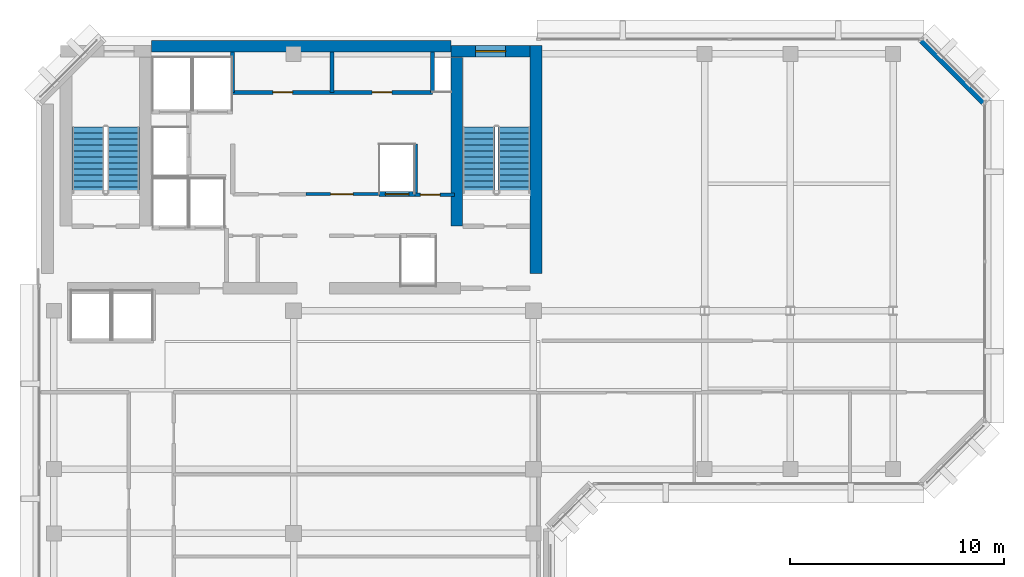
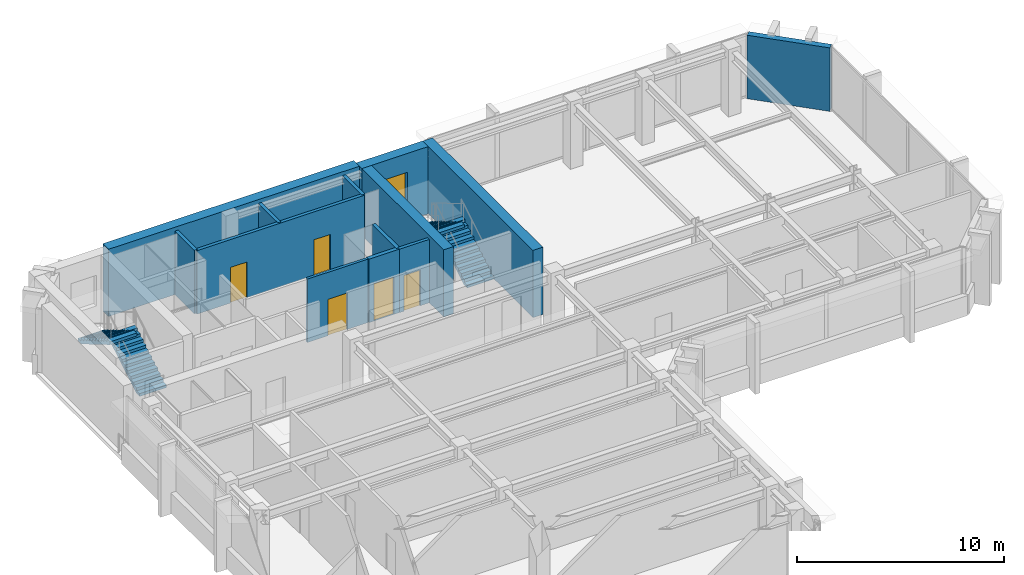
# One storey, part 8 of 11: 13 walls, 5 doors, 4 stair flights, 1 window, 6 openings, 2 elements without a shape of their own.
"""IFC4 building model written with IfcOpenShell, lengths in metres."""

from ifc_helpers import new_model, si_unit, direction, frame, frame_2d, origin, place, context, subcontext, project, spatial, polyline, rectangle, outline, extrude, material, layer, layer_set, type_object, element, fill, aggregate, save


model = new_model("IFC4")

# Units and contexts
model_context = context("Model", 3, precision=1e-05, world=origin(), true_north=direction((0.0, 1.0)))
body_context = subcontext(model_context, "Body", "Model", "MODEL_VIEW")
ifc_project = project(units=[si_unit("LENGTHUNIT", "METRE"), si_unit("AREAUNIT", "SQUARE_METRE"), si_unit("VOLUMEUNIT", "CUBIC_METRE"), si_unit("PLANEANGLEUNIT", "RADIAN"), si_unit("MASSUNIT", "GRAM", prefix="KILO")], contexts=[model_context])

# Site, building, storey
site_placement = place(None, origin())
site = spatial("IfcSite", under=ifc_project, at=site_placement, CompositionType="ELEMENT")
building_placement = place(site_placement, origin())
building = spatial("IfcBuilding", under=site, at=building_placement, Name="Kefirva Bronze Tower", CompositionType="ELEMENT")
storey_placement = place(building_placement, frame((0.0, 0.0, 331.64990234375)))
storey = spatial("IfcBuildingStorey", under=building, at=storey_placement, Name="L81", CompositionType="ELEMENT", Elevation=331.64990234375)

# Wall, opening, door
ifc_material_1 = material(Name="Gypsum acoustic partition")
ifc_layer_1 = layer(ifc_material_1, 0.14990234375, Name="Gypsum acoustic partition")
ifc_layer_set_1 = layer_set([ifc_layer_1], Name="Gypsum acoustic partition")
wall_type_1 = type_object("IfcWallType", Name="Executive Suite Partition 150mm", PredefinedType="PARTITIONING", material=ifc_layer_set_1)
wall_1_placement = place(storey_placement, frame((12.580078125, 38.64990234375, 0.0), z_axis=(0.0, 0.0, 1.0), x_axis=(1.0, 0.0, 0.0)))
wall_1 = element("IfcWall", 1, at=wall_1_placement, inside=storey, type_object=wall_type_1, Name="L81 Partition W-L81-RECMP2", PredefinedType="PARTITIONING", context=body_context, shape_type="SweptSolid", body=[
    extrude(rectangle(XDim=3.3798828125, YDim=0.14990234375, at=frame_2d((1.68994140625, 0.0))), origin(), (0.0, 0.0, 1.0), 3.739990234375),
])
opening_1_placement = place(wall_1_placement, frame((2.199951171875, 0.0, 0.0), z_axis=(0.0, 0.0, 1.0), x_axis=(-1.0, 0.0, 0.0)))
opening_1 = element("IfcOpeningElement", 2, at=opening_1_placement, cuts=wall_1, Name="Opening L81-D-RECMP2", PredefinedType="OPENING", context=body_context, shape_type="SweptSolid", body=[
    extrude(rectangle(XDim=1.050048828125, YDim=2.14990234375, at=frame_2d((0.52490234375, 1.074951171875))), frame((0.0, 0.0849609375, 0.0), z_axis=(0.0, -1.0, 0.0), x_axis=(1.0, 0.0, 0.0)), (0.0, 0.0, 1.0), 0.169921875),
])
ifc_material_2 = material(Name="Acoustic hardwood oak", Category="wood")
door_type_1 = type_object("IfcDoorType", Name="Executive & Boardroom Door 1050x2150", OperationType="NOTDEFINED", PredefinedType="DOOR", material=ifc_material_2)
door_1_placement = place(opening_1_placement, origin())
door_1 = element("IfcDoor", 3, at=door_1_placement, inside=storey, type_object=door_type_1, Name="Door L81-D-RECMP2", OperationType="SINGLE_SWING_RIGHT", OverallHeight=2.14990234375, OverallWidth=1.050048828125, PredefinedType="DOOR", context=body_context, shape_type="SweptSolid", body=[
    extrude(rectangle(XDim=1.050048828125, YDim=2.14990234375, at=frame_2d((0.52490234375, 1.074951171875))), frame((0.0, 0.02490234375, 0.0), z_axis=(0.0, -1.0, 0.0), x_axis=(1.0, 0.0, 0.0)), (0.0, 0.0, 1.0), 0.050048828125),
])
fill(opening_1, door_1)

# Wall
ifc_material_3 = material(Name="Gypsum fireboard shaftwall")
ifc_layer_2 = layer(ifc_material_3, 0.219970703125, Name="Gypsum fireboard shaftwall")
ifc_layer_set_2 = layer_set([ifc_layer_2], Name="Gypsum fireboard shaftwall")
wall_type_2 = type_object("IfcWallType", Name="Fire-Rated Shaft Enclosure Wall 220mm", PredefinedType="PARTITIONING", material=ifc_layer_set_2)
wall_2_placement = place(storey_placement, frame((17.679931640625, 38.64990234375, 0.0), z_axis=(0.0, 0.0, 1.0), x_axis=(0.0, 1.0, 0.0)))
element("IfcWall", 4, at=wall_2_placement, inside=storey, type_object=wall_type_2, Name="L81 Partition W-L81-HP2E", PredefinedType="PARTITIONING", context=body_context, shape_type="SweptSolid", body=[
    extrude(rectangle(XDim=2.35009765625, YDim=0.199951171875, at=frame_2d((1.175048828125, 0.0))), origin(), (0.0, 0.0, 1.0), 3.739990234375),
])

# Wall, opening, door
wall_3_placement = place(storey_placement, frame((15.97998046875, 38.64990234375, 0.0), z_axis=(0.0, 0.0, 1.0), x_axis=(1.0, 0.0, 0.0)))
wall_3 = element("IfcWall", 5, at=wall_3_placement, inside=storey, type_object=wall_type_2, Name="L81 Partition W-L81-HPN", PredefinedType="PARTITIONING", context=body_context, shape_type="SweptSolid", body=[
    extrude(rectangle(XDim=1.719970703125, YDim=0.219970703125, at=frame_2d((0.85986328125, 0.0))), origin(), (0.0, 0.0, 1.0), 3.739990234375),
])
opening_2_placement = place(wall_3_placement, frame((0.300048828125, 0.0, 0.0)))
opening_2 = element("IfcOpeningElement", 6, at=opening_2_placement, cuts=wall_3, Name="Opening L81-LD-HP2", PredefinedType="OPENING", context=body_context, shape_type="SweptSolid", body=[
    extrude(rectangle(XDim=1.10009765625, YDim=2.199951171875, at=frame_2d((0.550048828125, 1.10009765625))), frame((0.0, 0.1201171875, 0.0), z_axis=(0.0, -1.0, 0.0), x_axis=(1.0, 0.0, 0.0)), (0.0, 0.0, 1.0), 0.239990234375),
])
ifc_material_4 = material(Name="Stainless steel 316", Category="steel")
door_type_2 = type_object("IfcDoorType", Name="Passenger Lift Sliding Landing Door 1100x2200", OperationType="SLIDING_TO_LEFT", PredefinedType="DOOR", material=ifc_material_4)
door_2_placement = place(opening_2_placement, origin())
door_2 = element("IfcDoor", 7, at=door_2_placement, inside=storey, type_object=door_type_2, Name="Door L81-LD-HP2", OperationType="SLIDING_TO_LEFT", OverallHeight=2.199951171875, OverallWidth=1.10009765625, PredefinedType="DOOR", context=body_context, shape_type="SweptSolid", body=[
    extrude(rectangle(XDim=1.10009765625, YDim=2.199951171875, at=frame_2d((0.550048828125, 1.10009765625))), frame((0.0, 0.02490234375, 0.0), z_axis=(0.0, -1.0, 0.0), x_axis=(1.0, 0.0, 0.0)), (0.0, 0.0, 1.0), 0.050048828125),
])
fill(opening_2, door_2)

ifc_material_5 = material(Name="Gypsum fireboard barrier")
ifc_layer_3 = layer(ifc_material_5, 0.199951171875, Name="Gypsum fireboard barrier")
ifc_layer_set_3 = layer_set([ifc_layer_3], Name="Gypsum fireboard barrier")
wall_type_3 = type_object("IfcWallType", Name="Firefighting Lobby Barrier Wall 200mm", PredefinedType="PARTITIONING", material=ifc_layer_set_3)
wall_4_placement = place(storey_placement, frame((17.679931640625, 38.6201171875, 0.0), z_axis=(0.0, 0.0, 1.0), x_axis=(1.0, 0.0, 0.0)))
wall_4 = element("IfcWall", 8, at=wall_4_placement, inside=storey, type_object=wall_type_3, Name="L81 Partition W-L81-CPASS", PredefinedType="PARTITIONING", context=body_context, shape_type="SweptSolid", body=[
    extrude(rectangle(XDim=1.840087890625, YDim=0.179931640625, at=frame_2d((0.919921875, 0.0))), origin(), (0.0, 0.0, 1.0), 3.739990234375),
])
opening_3_placement = place(wall_4_placement, frame((0.239990234375, 0.0, 0.0)))
opening_3 = element("IfcOpeningElement", 9, at=opening_3_placement, cuts=wall_4, Name="Opening L81-D-CPAS", PredefinedType="OPENING", context=body_context, shape_type="SweptSolid", body=[
    extrude(rectangle(XDim=0.919921875, YDim=2.10009765625, at=frame_2d((0.4599609375, 1.050048828125))), frame((0.0, 0.10009765625, 0.0), z_axis=(0.0, -1.0, 0.0), x_axis=(1.0, 0.0, 0.0)), (0.0, 0.0, 1.0), 0.199951171875),
])
ifc_material_6 = material(Name="Moisture-resistant timber", Category="wood")
door_type_3 = type_object("IfcDoorType", Name="Accessible Sanitary & WC Door 920x2100", OperationType="NOTDEFINED", PredefinedType="DOOR", material=ifc_material_6)
door_3_placement = place(opening_3_placement, origin())
door_3 = element("IfcDoor", 10, at=door_3_placement, inside=storey, type_object=door_type_3, Name="Door L81-D-CPAS", OperationType="SINGLE_SWING_LEFT", OverallHeight=2.10009765625, OverallWidth=0.919921875, PredefinedType="DOOR", context=body_context, shape_type="SweptSolid", body=[
    extrude(rectangle(XDim=0.919921875, YDim=2.10009765625, at=frame_2d((0.4599609375, 1.050048828125))), frame((0.0, 0.02490234375, 0.0), z_axis=(0.0, -1.0, 0.0), x_axis=(1.0, 0.0, 0.0)), (0.0, 0.0, 1.0), 0.050048828125),
])
fill(opening_3, door_3)

# Walls
ifc_material_7 = material(Name="Precast concrete C40/50", Category="concrete")
ifc_layer_4 = layer(ifc_material_7, 0.320068359375, Name="Precast concrete C40/50")
ifc_layer_set_4 = layer_set([ifc_layer_4], Name="Precast concrete C40/50")
wall_type_4 = type_object("IfcWallType", Name="Precast Insulated Exterior Wall 320mm", PredefinedType="SOLIDWALL", material=ifc_layer_set_4)
wall_5_placement = place(storey_placement, frame((44.248046875, 42.92578125, 0.0), z_axis=(0.0, 0.0, 1.0), x_axis=(-0.707136318428, 0.707077242712, 0.0)))
element("IfcWall", 11, at=wall_5_placement, inside=storey, type_object=wall_type_4, Name="L81 Exterior Facade Wall 5", PredefinedType="SOLIDWALL", context=body_context, shape_type="SweptSolid", body=[
    extrude(rectangle(XDim=4.132568359375, YDim=0.320068359375, at=frame_2d((2.06640625, 0.0))), origin(), (0.0, 0.0, 1.0), 3.739990234375),
])
ifc_material_8 = material(Name="Concrete C50/60", Category="concrete")
ifc_layer_5 = layer(ifc_material_8, 0.550048828125, Name="Concrete C50/60")
ifc_layer_set_5 = layer_set([ifc_layer_5], Name="Concrete C50/60")
wall_type_5 = type_object("IfcWallType", Name="RC Rear Core Exterior Wall 550mm", PredefinedType="SHEAR", material=ifc_layer_set_5)
wall_6_placement = place(storey_placement, frame((5.360107421875, 45.550048828125, 0.0), z_axis=(0.0, 0.0, 1.0), x_axis=(1.0, 0.0, 0.0)))
element("IfcWall", 12, at=wall_6_placement, inside=storey, type_object=wall_type_5, Name="L81 Rear Core North Shear Wall", PredefinedType="SHEAR", context=body_context, shape_type="SweptSolid", body=[
    extrude(rectangle(XDim=13.97998046875, YDim=0.550048828125, at=frame_2d((6.989990234375, 0.0))), origin(), (0.0, 0.0, 1.0), 3.960205078125),
])

# Wall, opening, window
wall_7_placement = place(storey_placement, frame((19.35009765625, 45.320068359375, 0.0), z_axis=(0.0, 0.0, 1.0), x_axis=(1.0, 0.0, 0.0)))
wall_7 = element("IfcWall", 13, at=wall_7_placement, inside=storey, type_object=wall_type_5, Name="L81 Stair 2 North Shear Wall", PredefinedType="SHEAR", context=body_context, shape_type="SweptSolid", body=[
    extrude(rectangle(XDim=3.68994140625, YDim=0.550048828125, at=frame_2d((1.844970703125, 0.0))), origin(), (0.0, 0.0, 1.0), 3.960205078125),
])
opening_4_placement = place(wall_7_placement, frame((1.14990234375, 0.0, 1.050048828125)))
opening_4 = element("IfcOpeningElement", 14, at=opening_4_placement, cuts=wall_7, Name="Opening WN-03", PredefinedType="OPENING", context=body_context, shape_type="SweptSolid", body=[
    extrude(rectangle(XDim=1.39990234375, YDim=1.800048828125, at=frame_2d((0.699951171875, 0.89990234375))), frame((0.0, 0.28515625, 0.0), z_axis=(0.0, -1.0, 0.0), x_axis=(1.0, 0.0, 0.0)), (0.0, 0.0, 1.0), 0.570068359375),
])
ifc_material_9 = material(Name="Laminated low-E double glazing", Category="glass")
window_type = type_object("IfcWindowType", Name="Rear-Core Stair Daylight Window 1400x1800", PartitioningType="SINGLE_PANEL", PredefinedType="WINDOW", material=ifc_material_9)
window_placement = place(opening_4_placement, origin())
window = element("IfcWindow", 15, at=window_placement, inside=storey, type_object=window_type, Name="L81 Stair 2 Daylight Window", OverallHeight=1.800048828125, OverallWidth=1.39990234375, PartitioningType="SINGLE_PANEL", PredefinedType="WINDOW", context=body_context, shape_type="SweptSolid", body=[
    extrude(rectangle(XDim=1.39990234375, YDim=1.800048828125, at=frame_2d((0.699951171875, 0.89990234375))), frame((0.0, 0.030029296875, 0.0), z_axis=(0.0, -1.0, 0.0), x_axis=(1.0, 0.0, 0.0)), (0.0, 0.0, 1.0), 0.06005859375),
])
fill(opening_4, window)

# Walls
ifc_layer_6 = layer(ifc_material_8, 0.550048828125, Name="Concrete C50/60")
ifc_layer_set_6 = layer_set([ifc_layer_6], Name="Concrete C50/60")
wall_type_6 = type_object("IfcWallType", Name="RC Rear Core Interior Wall 550mm", PredefinedType="SHEAR", material=ifc_layer_set_6)
wall_8_placement = place(storey_placement, frame((23.324951171875, 34.949951171875, 0.0), z_axis=(0.0, 0.0, 1.0), x_axis=(0.0, 1.0, 0.0)))
element("IfcWall", 16, at=wall_8_placement, inside=storey, type_object=wall_type_6, Name="L81 Rear Core East Shear Wall", PredefinedType="SHEAR", context=body_context, shape_type="SweptSolid", body=[
    extrude(rectangle(XDim=10.64013671875, YDim=0.550048828125, at=frame_2d((5.320068359375, 0.0))), origin(), (0.0, 0.0, 1.0), 3.960205078125),
])
wall_9_placement = place(storey_placement, frame((19.6201171875, 37.14990234375, 0.0), z_axis=(0.0, 0.0, 1.0), x_axis=(0.0, 1.0, 0.0)))
element("IfcWall", 17, at=wall_9_placement, inside=storey, type_object=wall_type_6, Name="L81 Stair 2 West Shear Wall", PredefinedType="SHEAR", context=body_context, shape_type="SweptSolid", body=[
    extrude(rectangle(XDim=7.89013671875, YDim=0.550048828125, at=frame_2d((3.945068359375, 0.0))), origin(), (0.0, 0.0, 1.0), 3.960205078125),
])

# Wall, openings, doors
ifc_material_10 = material(Name="Moisture-resistant partition")
ifc_layer_7 = layer(ifc_material_10, 0.179931640625, Name="Moisture-resistant partition")
ifc_layer_set_7 = layer_set([ifc_layer_7], Name="Moisture-resistant partition")
wall_type_7 = type_object("IfcWallType", Name="Sanitary Plumbing Chase Wall 180mm", PredefinedType="PLUMBINGWALL", material=ifc_layer_set_7)
wall_10_placement = place(storey_placement, frame((9.14990234375, 43.39990234375, 0.0), z_axis=(0.0, 0.0, 1.0), x_axis=(1.0, 0.0, 0.0)))
wall_10 = element("IfcWall", 18, at=wall_10_placement, inside=storey, type_object=wall_type_7, Name="L81 Partition W-L81-SVCS", PredefinedType="PLUMBINGWALL", context=body_context, shape_type="SweptSolid", body=[
    extrude(rectangle(XDim=9.330078125, YDim=0.179931640625, at=frame_2d((4.6650390625, 0.0))), origin(), (0.0, 0.0, 1.0), 3.739990234375),
])
opening_5_placement = place(wall_10_placement, frame((1.8798828125, 0.0, 0.0)))
opening_5 = element("IfcOpeningElement", 19, at=opening_5_placement, cuts=wall_10, Name="Opening L81-D-CSVC1", PredefinedType="OPENING", context=body_context, shape_type="SweptSolid", body=[
    extrude(rectangle(XDim=0.919921875, YDim=2.10009765625, at=frame_2d((0.4599609375, 1.050048828125))), frame((0.0, 0.10009765625, 0.0), z_axis=(0.0, -1.0, 0.0), x_axis=(1.0, 0.0, 0.0)), (0.0, 0.0, 1.0), 0.199951171875),
])
opening_6_placement = place(wall_10_placement, frame((6.514892578125, 0.0, 0.0)))
opening_6 = element("IfcOpeningElement", 20, at=opening_6_placement, cuts=wall_10, Name="Opening L81-D-CSVC2", PredefinedType="OPENING", context=body_context, shape_type="SweptSolid", body=[
    extrude(rectangle(XDim=0.919921875, YDim=2.10009765625, at=frame_2d((0.4599609375, 1.050048828125))), frame((0.0, 0.10009765625, 0.0), z_axis=(0.0, -1.0, 0.0), x_axis=(1.0, 0.0, 0.0)), (0.0, 0.0, 1.0), 0.199951171875),
])
door_4_placement = place(opening_5_placement, origin())
door_4 = element("IfcDoor", 21, at=door_4_placement, inside=storey, type_object=door_type_3, Name="Door L81-D-CSVC1", OperationType="SINGLE_SWING_LEFT", OverallHeight=2.10009765625, OverallWidth=0.919921875, PredefinedType="DOOR", context=body_context, shape_type="SweptSolid", body=[
    extrude(rectangle(XDim=0.919921875, YDim=2.10009765625, at=frame_2d((0.4599609375, 1.050048828125))), frame((0.0, 0.02490234375, 0.0), z_axis=(0.0, -1.0, 0.0), x_axis=(1.0, 0.0, 0.0)), (0.0, 0.0, 1.0), 0.050048828125),
])
fill(opening_5, door_4)
door_5_placement = place(opening_6_placement, origin())
door_5 = element("IfcDoor", 22, at=door_5_placement, inside=storey, type_object=door_type_3, Name="Door L81-D-CSVC2", OperationType="SINGLE_SWING_RIGHT", OverallHeight=2.10009765625, OverallWidth=0.919921875, PredefinedType="DOOR", context=body_context, shape_type="SweptSolid", body=[
    extrude(rectangle(XDim=0.919921875, YDim=2.10009765625, at=frame_2d((0.4599609375, 1.050048828125))), frame((0.0, 0.02490234375, 0.0), z_axis=(0.0, -1.0, 0.0), x_axis=(1.0, 0.0, 0.0)), (0.0, 0.0, 1.0), 0.050048828125),
])
fill(opening_6, door_5)

# Walls
for number, where, z_axis, x_axis, name in (
    (23, (9.14990234375, 43.39990234375, 0.0), (0.0, 0.0, 1.0), (0.0, 1.0, 0.0), "L81 Partition W-L81-SVCW"),
    (24, (18.47998046875, 43.39990234375, 0.0), (0.0, 0.0, 1.0), (0.0, 1.0, 0.0), "L81 Partition W-L81-SVCE"),
    (25, (13.800048828125, 43.39990234375, 0.0), (0.0, 0.0, 1.0), (0.0, 1.0, 0.0), "L81 Partition W-L81-CSVD-1"),
):
    element("IfcWall", number, at=place(storey_placement, frame(where, z_axis=z_axis, x_axis=x_axis)), inside=storey, type_object=wall_type_7, Name=name, PredefinedType="PLUMBINGWALL", context=body_context, shape_type="SweptSolid", body=[
        extrude(rectangle(XDim=1.880126953125, YDim=0.179931640625, at=frame_2d((0.93994140625, 0.0))), origin(), (0.0, 0.0, 1.0), 3.739990234375),
    ])

# Stair, stair flights
ifc_material_11 = material(Name="Concrete C40/50", Category="concrete")
stair_type = type_object("IfcStairType", Name="RC Dogleg Protected Stair 24R", PredefinedType="HALF_TURN_STAIR", material=ifc_material_11)
stair_1_placement = place(storey_placement, origin())
stair_1 = element("IfcStair", 26, at=stair_1_placement, inside=storey, type_object=stair_type, Name="L81 Protected Exit Stair 1", PredefinedType="HALF_TURN_STAIR")
stair_flight_type = type_object("IfcStairFlightType", Name="RC Straight Stair Flight 24R", PredefinedType="STRAIGHT", material=ifc_material_11)
stair_flight_1_placement = place(storey_placement, frame((4.050048828125, 38.699951171875, 0.0), z_axis=(0.0, 0.0, 1.0), x_axis=(0.0, 1.0, 0.0)))
stair_flight_1 = element("IfcStairFlight", 27, at=stair_flight_1_placement, type_object=stair_flight_type, Name="ST-1 flight 1", NumberOfRisers=12, NumberOfTreads=11, PredefinedType="STRAIGHT", RiserHeight=0.165, TreadLength=0.28, context=body_context, shape_type="SweptSolid", body=[
    extrude(outline(polyline([(0.0, 0.0), (0.0, 0.1650390625), (0.280029296875, 0.1650390625), (0.280029296875, 0.330078125), (0.56005859375, 0.330078125), (0.56005859375, 0.4951171875), (0.840087890625, 0.4951171875), (0.840087890625, 0.659912109375), (1.1201171875, 0.659912109375), (1.1201171875, 0.824951171875), (1.39990234375, 0.824951171875), (1.39990234375, 0.989990234375), (1.679931640625, 0.989990234375), (1.679931640625, 1.155029296875), (1.9599609375, 1.155029296875), (1.9599609375, 1.320068359375), (2.239990234375, 1.320068359375), (2.239990234375, 1.485107421875), (2.52001953125, 1.485107421875), (2.52001953125, 1.64990234375), (2.800048828125, 1.64990234375), (2.800048828125, 1.81494140625), (3.080078125, 1.81494140625), (3.080078125, 1.97998046875), (3.080078125, 1.64111328125), (0.295166015625, 0.0), (0.0, 0.0)])), frame((0.0, 0.75, 0.0), z_axis=(0.0, -1.0, 0.0), x_axis=(1.0, 0.0, 0.0)), (0.0, 0.0, 1.0), 1.5),
])
stair_flight_2_placement = place(storey_placement, frame((2.39990234375, 41.780029296875, 1.97998046875), z_axis=(0.0, 0.0, 1.0), x_axis=(0.0, -1.0, 0.0)))
stair_flight_2 = element("IfcStairFlight", 28, at=stair_flight_2_placement, type_object=stair_flight_type, Name="ST-1 flight 2", NumberOfRisers=12, NumberOfTreads=11, PredefinedType="STRAIGHT", RiserHeight=0.165, TreadLength=0.28, context=body_context, shape_type="SweptSolid", body=[
    extrude(outline(polyline([(0.0, 0.0), (0.0, 0.1650390625), (0.280029296875, 0.1650390625), (0.280029296875, 0.330078125), (0.56005859375, 0.330078125), (0.56005859375, 0.4951171875), (0.840087890625, 0.4951171875), (0.840087890625, 0.659912109375), (1.1201171875, 0.659912109375), (1.1201171875, 0.824951171875), (1.39990234375, 0.824951171875), (1.39990234375, 0.989990234375), (1.679931640625, 0.989990234375), (1.679931640625, 1.155029296875), (1.9599609375, 1.155029296875), (1.9599609375, 1.320068359375), (2.239990234375, 1.320068359375), (2.239990234375, 1.485107421875), (2.52001953125, 1.485107421875), (2.52001953125, 1.64990234375), (2.800048828125, 1.64990234375), (2.800048828125, 1.81494140625), (3.080078125, 1.81494140625), (3.080078125, 1.97998046875), (3.080078125, 1.64111328125), (0.295166015625, 0.0), (0.0, 0.0)])), frame((0.0, 0.75, 0.0), z_axis=(0.0, -1.0, 0.0), x_axis=(1.0, 0.0, 0.0)), (0.0, 0.0, 1.0), 1.5),
])
aggregate(stair_1, [stair_flight_1, stair_flight_2])

stair_2_placement = place(storey_placement, origin())
stair_2 = element("IfcStair", 29, at=stair_2_placement, inside=storey, type_object=stair_type, Name="L81 Protected Exit Stair 2", PredefinedType="HALF_TURN_STAIR")
stair_flight_3_placement = place(storey_placement, frame((22.300048828125, 38.699951171875, 0.0), z_axis=(0.0, 0.0, 1.0), x_axis=(0.0, 1.0, 0.0)))
stair_flight_3 = element("IfcStairFlight", 30, at=stair_flight_3_placement, type_object=stair_flight_type, Name="ST-2 flight 1", NumberOfRisers=12, NumberOfTreads=11, PredefinedType="STRAIGHT", RiserHeight=0.165, TreadLength=0.28, context=body_context, shape_type="SweptSolid", body=[
    extrude(outline(polyline([(0.0, 0.0), (0.0, 0.1650390625), (0.280029296875, 0.1650390625), (0.280029296875, 0.330078125), (0.56005859375, 0.330078125), (0.56005859375, 0.4951171875), (0.840087890625, 0.4951171875), (0.840087890625, 0.659912109375), (1.1201171875, 0.659912109375), (1.1201171875, 0.824951171875), (1.39990234375, 0.824951171875), (1.39990234375, 0.989990234375), (1.679931640625, 0.989990234375), (1.679931640625, 1.155029296875), (1.9599609375, 1.155029296875), (1.9599609375, 1.320068359375), (2.239990234375, 1.320068359375), (2.239990234375, 1.485107421875), (2.52001953125, 1.485107421875), (2.52001953125, 1.64990234375), (2.800048828125, 1.64990234375), (2.800048828125, 1.81494140625), (3.080078125, 1.81494140625), (3.080078125, 1.97998046875), (3.080078125, 1.64111328125), (0.295166015625, 0.0), (0.0, 0.0)])), frame((0.0, 0.75, 0.0), z_axis=(0.0, -1.0, 0.0), x_axis=(1.0, 0.0, 0.0)), (0.0, 0.0, 1.0), 1.5),
])
stair_flight_4_placement = place(storey_placement, frame((20.64990234375, 41.780029296875, 1.97998046875), z_axis=(0.0, 0.0, 1.0), x_axis=(0.0, -1.0, 0.0)))
stair_flight_4 = element("IfcStairFlight", 31, at=stair_flight_4_placement, type_object=stair_flight_type, Name="ST-2 flight 2", NumberOfRisers=12, NumberOfTreads=11, PredefinedType="STRAIGHT", RiserHeight=0.165, TreadLength=0.28, context=body_context, shape_type="SweptSolid", body=[
    extrude(outline(polyline([(0.0, 0.0), (0.0, 0.1650390625), (0.280029296875, 0.1650390625), (0.280029296875, 0.330078125), (0.56005859375, 0.330078125), (0.56005859375, 0.4951171875), (0.840087890625, 0.4951171875), (0.840087890625, 0.659912109375), (1.1201171875, 0.659912109375), (1.1201171875, 0.824951171875), (1.39990234375, 0.824951171875), (1.39990234375, 0.989990234375), (1.679931640625, 0.989990234375), (1.679931640625, 1.155029296875), (1.9599609375, 1.155029296875), (1.9599609375, 1.320068359375), (2.239990234375, 1.320068359375), (2.239990234375, 1.485107421875), (2.52001953125, 1.485107421875), (2.52001953125, 1.64990234375), (2.800048828125, 1.64990234375), (2.800048828125, 1.81494140625), (3.080078125, 1.81494140625), (3.080078125, 1.97998046875), (3.080078125, 1.64111328125), (0.295166015625, 0.0), (0.0, 0.0)])), frame((0.0, 0.75, 0.0), z_axis=(0.0, -1.0, 0.0), x_axis=(1.0, 0.0, 0.0)), (0.0, 0.0, 1.0), 1.5),
])
aggregate(stair_2, [stair_flight_3, stair_flight_4])

save(model, "model.ifc")
